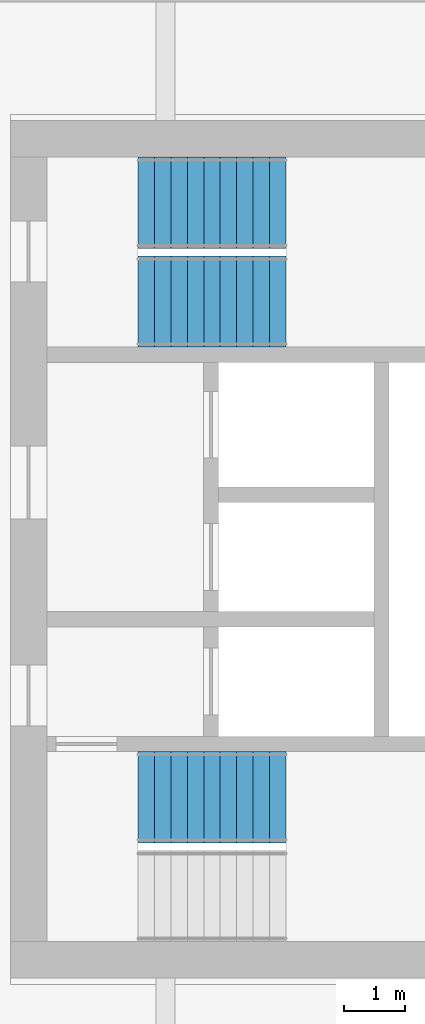
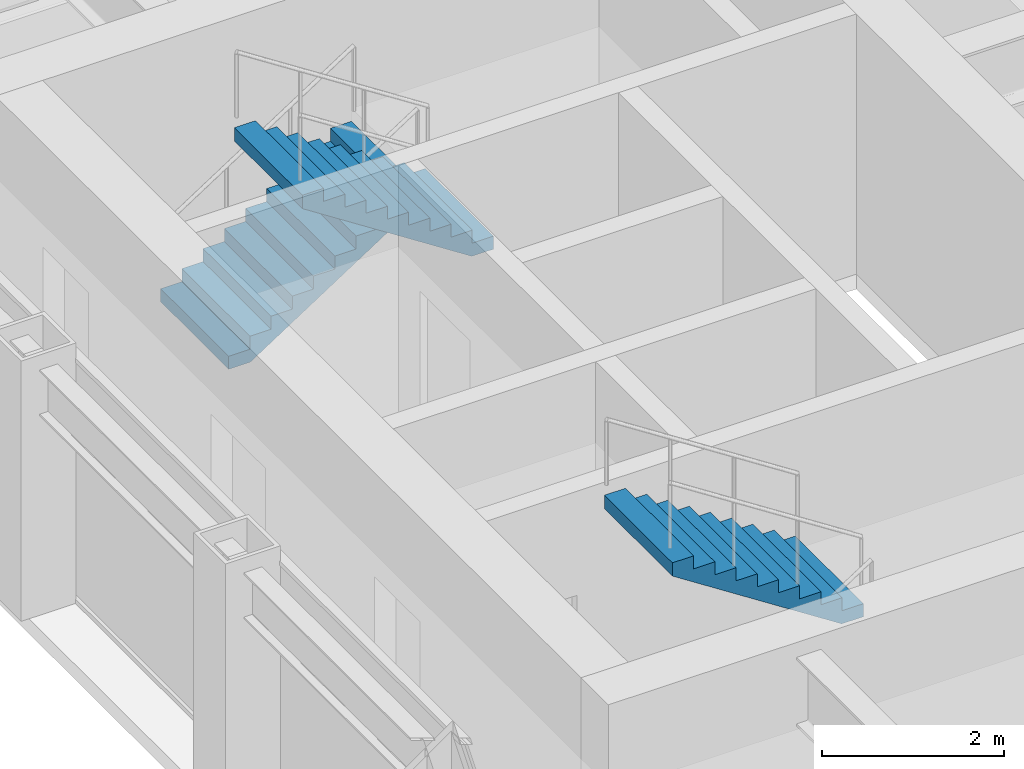
# One storey, part 16 of 21: 3 stair flights, 2 elements without a shape of their own.
"""IFC4 building model written with IfcOpenShell, lengths in metres."""

from ifc_helpers import new_model, si_unit, direction, frame, origin, place, context, subcontext, project, spatial, polyline, outline, extrude, material, type_object, element, aggregate, save


model = new_model("IFC4")

# Units and contexts
model_context = context("Model", 3, precision=1e-05, world=origin(), true_north=direction((0.0, 1.0)))
body_context = subcontext(model_context, "Body", "Model", "MODEL_VIEW")
ifc_project = project(units=[si_unit("LENGTHUNIT", "METRE"), si_unit("AREAUNIT", "SQUARE_METRE"), si_unit("VOLUMEUNIT", "CUBIC_METRE"), si_unit("PLANEANGLEUNIT", "RADIAN"), si_unit("MASSUNIT", "GRAM", prefix="KILO")], contexts=[model_context])

# Site, building, storey
site_placement = place(None, origin())
site = spatial("IfcSite", under=ifc_project, at=site_placement, CompositionType="ELEMENT")
building_placement = place(site_placement, origin())
building = spatial("IfcBuilding", under=site, at=building_placement, Name="Msasa Ring Tower", CompositionType="ELEMENT")
storey_placement = place(building_placement, frame((0.0, 0.0, 96.5)))
storey = spatial("IfcBuildingStorey", under=building, at=storey_placement, Name="L25", CompositionType="ELEMENT", Elevation=96.5)

# Stair, stair flight
ifc_material_1 = material(Name="Concrete C40/50", Category="concrete")
stair_type = type_object("IfcStairType", Name="STC CORE STAIR 20 RISERS 175", PredefinedType="HALF_TURN_STAIR", material=ifc_material_1)
stair_1_placement = place(storey_placement, origin())
stair_1 = element("IfcStair", 1, at=stair_1_placement, inside=storey, type_object=stair_type, Name="Core stair SEA L25", PredefinedType="HALF_TURN_STAIR")
ifc_material_2 = material(Name="Concrete C40/50", Category="concrete")
stair_flight_type = type_object("IfcStairFlightType", Name="ST12 CORE STAIR FLIGHT 1500 10 RISERS 175", PredefinedType="STRAIGHT", material=ifc_material_2)
stair_flight_1_placement = place(storey_placement, frame((13.22998046875, -4.074951171875, 1.75), z_axis=(0.0, 0.0, 1.0), x_axis=(-1.0, 0.0, 0.0)))
stair_flight_1 = element("IfcStairFlight", 2, at=stair_flight_1_placement, type_object=stair_flight_type, Name="SEA flight 2", NumberOfRisers=10, NumberOfTreads=9, PredefinedType="STRAIGHT", RiserHeight=0.175, TreadLength=0.27, context=body_context, shape_type="SweptSolid", body=[
    extrude(outline(polyline([(0.0, 0.0), (0.0, 0.175048828125), (0.27001953125, 0.175048828125), (0.27001953125, 0.35009765625), (0.5400390625, 0.35009765625), (0.5400390625, 0.52490234375), (0.81005859375, 0.52490234375), (0.81005859375, 0.699951171875), (1.080078125, 0.699951171875), (1.080078125, 0.875), (1.35009765625, 0.875), (1.35009765625, 1.050048828125), (1.6201171875, 1.050048828125), (1.6201171875, 1.22509765625), (1.889892578125, 1.22509765625), (1.889892578125, 1.39990234375), (2.159912109375, 1.39990234375), (2.159912109375, 1.574951171875), (2.429931640625, 1.574951171875), (2.429931640625, 1.75), (2.429931640625, 1.396484375), (0.275634765625, 0.0), (0.0, 0.0)])), frame((0.0, 0.75, 0.0), z_axis=(0.0, -1.0, 0.0), x_axis=(1.0, 0.0, 0.0)), (0.0, 0.0, 1.0), 1.5),
])
aggregate(stair_1, [stair_flight_1])

# Stair, stair flights
stair_2_placement = place(storey_placement, origin())
stair_2 = element("IfcStair", 3, at=stair_2_placement, inside=storey, type_object=stair_type, Name="Core stair SEB L25", PredefinedType="HALF_TURN_STAIR")
stair_flight_2_placement = place(storey_placement, frame((10.800048828125, 5.699951171875, 0.0), z_axis=(0.0, 0.0, 1.0), x_axis=(1.0, 0.0, 0.0)))
stair_flight_2 = element("IfcStairFlight", 4, at=stair_flight_2_placement, type_object=stair_flight_type, Name="SEB flight 1", NumberOfRisers=10, NumberOfTreads=9, PredefinedType="STRAIGHT", RiserHeight=0.175, TreadLength=0.27, context=body_context, shape_type="SweptSolid", body=[
    extrude(outline(polyline([(0.0, 0.0), (0.0, 0.175048828125), (0.27001953125, 0.175048828125), (0.27001953125, 0.35009765625), (0.5400390625, 0.35009765625), (0.5400390625, 0.52490234375), (0.81005859375, 0.52490234375), (0.81005859375, 0.699951171875), (1.080078125, 0.699951171875), (1.080078125, 0.875), (1.35009765625, 0.875), (1.35009765625, 1.050048828125), (1.6201171875, 1.050048828125), (1.6201171875, 1.22509765625), (1.889892578125, 1.22509765625), (1.889892578125, 1.39990234375), (2.159912109375, 1.39990234375), (2.159912109375, 1.574951171875), (2.429931640625, 1.574951171875), (2.429931640625, 1.75), (2.429931640625, 1.396484375), (0.275634765625, 0.0), (0.0, 0.0)])), frame((0.0, 0.75, 0.0), z_axis=(0.0, -1.0, 0.0), x_axis=(1.0, 0.0, 0.0)), (0.0, 0.0, 1.0), 1.5),
])
stair_flight_3_placement = place(storey_placement, frame((13.22998046875, 4.074951171875, 1.75), z_axis=(0.0, 0.0, 1.0), x_axis=(-1.0, 0.0, 0.0)))
stair_flight_3 = element("IfcStairFlight", 5, at=stair_flight_3_placement, type_object=stair_flight_type, Name="SEB flight 2", NumberOfRisers=10, NumberOfTreads=9, PredefinedType="STRAIGHT", RiserHeight=0.175, TreadLength=0.27, context=body_context, shape_type="SweptSolid", body=[
    extrude(outline(polyline([(0.0, 0.0), (0.0, 0.175048828125), (0.27001953125, 0.175048828125), (0.27001953125, 0.35009765625), (0.5400390625, 0.35009765625), (0.5400390625, 0.52490234375), (0.81005859375, 0.52490234375), (0.81005859375, 0.699951171875), (1.080078125, 0.699951171875), (1.080078125, 0.875), (1.35009765625, 0.875), (1.35009765625, 1.050048828125), (1.6201171875, 1.050048828125), (1.6201171875, 1.22509765625), (1.889892578125, 1.22509765625), (1.889892578125, 1.39990234375), (2.159912109375, 1.39990234375), (2.159912109375, 1.574951171875), (2.429931640625, 1.574951171875), (2.429931640625, 1.75), (2.429931640625, 1.396484375), (0.275634765625, 0.0), (0.0, 0.0)])), frame((0.0, 0.75, 0.0), z_axis=(0.0, -1.0, 0.0), x_axis=(1.0, 0.0, 0.0)), (0.0, 0.0, 1.0), 1.5),
])
aggregate(stair_2, [stair_flight_2, stair_flight_3])

save(model, "model.ifc")
